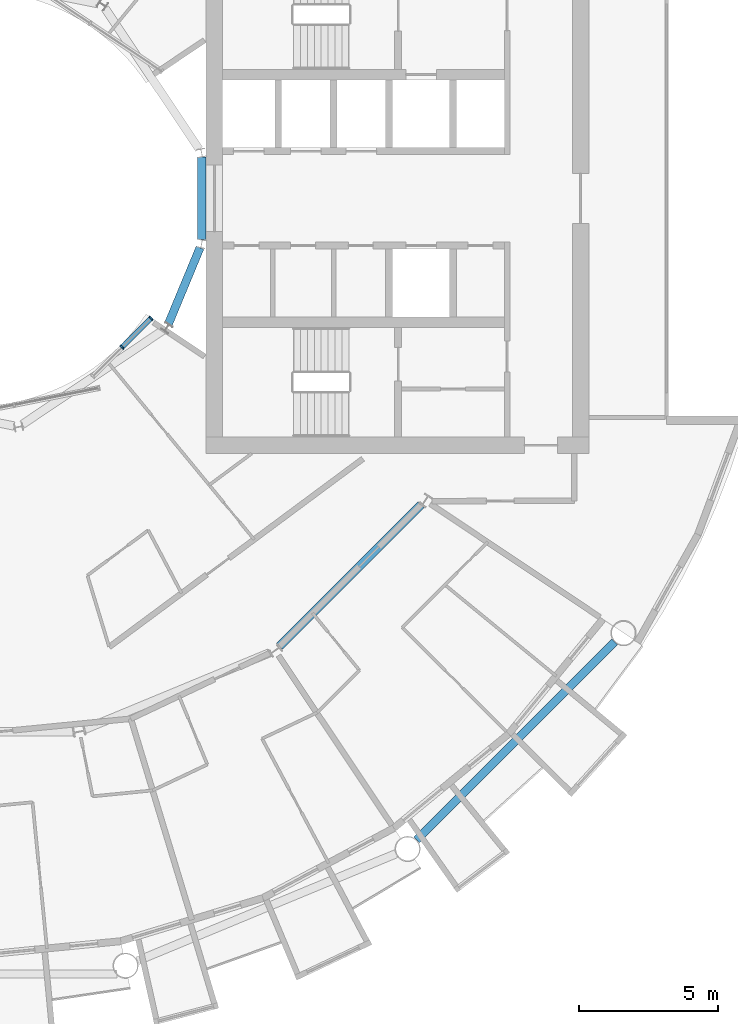
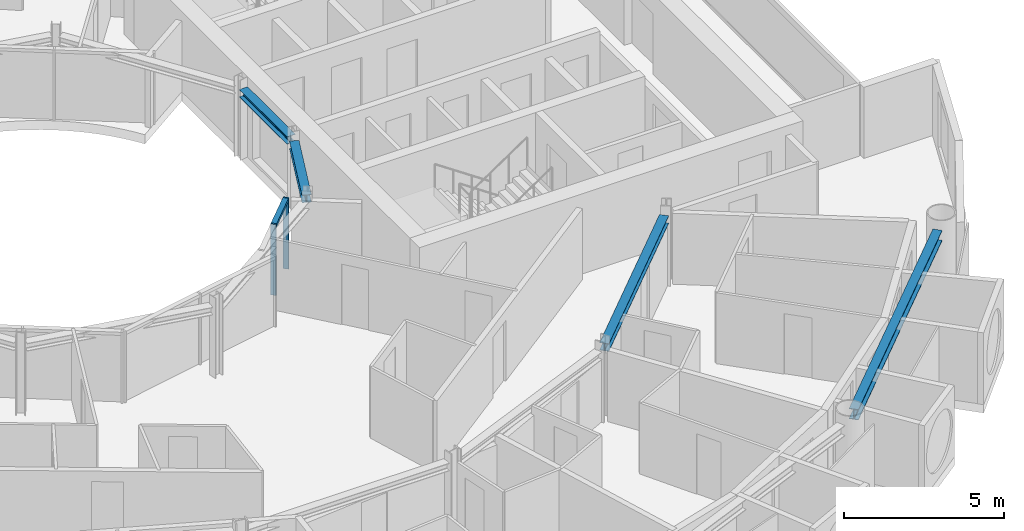
# One storey, part 7 of 27: 4 beams, 3 members, 1 element without a shape of its own.
"""IFC4 building model written with IfcOpenShell, lengths in metres."""

from ifc_helpers import new_model, si_unit, direction, frame, origin, origin_2d, place, context, subcontext, project, spatial, rectangle, i_section, extrude, material, layer, layer_set, material_profile, profile_set, type_object, element, aggregate, save


model = new_model("IFC4")

# Units and contexts
model_context = context("Model", 3, precision=1e-05, world=origin(), true_north=direction((0.0, 1.0)))
body_context = subcontext(model_context, "Body", "Model", "MODEL_VIEW")
ifc_project = project(units=[si_unit("LENGTHUNIT", "METRE"), si_unit("AREAUNIT", "SQUARE_METRE"), si_unit("VOLUMEUNIT", "CUBIC_METRE"), si_unit("PLANEANGLEUNIT", "RADIAN"), si_unit("MASSUNIT", "GRAM", prefix="KILO")], contexts=[model_context])

# Site, building, storey
site_placement = place(None, origin())
site = spatial("IfcSite", under=ifc_project, at=site_placement, CompositionType="ELEMENT")
building_placement = place(site_placement, origin())
building = spatial("IfcBuilding", under=site, at=building_placement, Name="Maasbend Ring Residences", CompositionType="ELEMENT")
storey_placement = place(building_placement, frame((0.0, 0.0, 117.75)))
storey = spatial("IfcBuildingStorey", under=building, at=storey_placement, Name="L33", CompositionType="ELEMENT", Elevation=117.75)

# Curtain wall, members
ifc_material_1 = material(Name="Aluminium and clear glass", Category="aluminium")
ifc_layer = layer(ifc_material_1, 0.179931640625)
ifc_layer_set = layer_set([ifc_layer], Name="CW-W")
curtain_wall_type = type_object("IfcCurtainWallType", Name="CW-W", PredefinedType="NOTDEFINED", material=ifc_layer_set)
curtain_wall_placement = place(storey_placement, origin())
curtain_wall = element("IfcCurtainWall", 1, at=curtain_wall_placement, inside=storey, type_object=curtain_wall_type, Name="Well curtain wall S3", PredefinedType="NOTDEFINED")
ifc_material_2 = material(Name="Aluminium 6063-T6", Category="aluminium")
ifc_material_profile_1 = material_profile(ifc_material_2, rectangle(XDim=0.179931640625, YDim=0.06005859375, at=origin_2d()), Name="AL 180x60")
ifc_profile_set_1 = profile_set([ifc_material_profile_1], Name="Aluminium 6063-T6")
member_type_1 = type_object("IfcMemberType", Name="CWM-W", PredefinedType="MULLION", material=ifc_profile_set_1)
member_1_placement = place(storey_placement, frame((5.366943359375, -5.366943359375, 0.0), z_axis=(0.0, 0.0, 1.0), x_axis=(-0.707106781187, 0.707106781187, 0.0)))
member_1 = element("IfcMember", 2, at=member_1_placement, type_object=member_type_1, Name="Mullion well face", PredefinedType="MULLION", context=body_context, shape_type="SweptSolid", body=[
    extrude(rectangle(XDim=0.179931640625, YDim=0.06005859375, at=origin_2d()), origin(), (0.0, 0.0, 1.0), 2.699951171875),
])
member_2_placement = place(storey_placement, frame((6.413330078125, -4.320556640625, 0.0), z_axis=(0.0, 0.0, 1.0), x_axis=(-0.707106781187, 0.707106781187, 0.0)))
member_2 = element("IfcMember", 3, at=member_2_placement, type_object=member_type_1, Name="Mullion well face", PredefinedType="MULLION", context=body_context, shape_type="SweptSolid", body=[
    extrude(rectangle(XDim=0.179931640625, YDim=0.06005859375, at=origin_2d()), origin(), (0.0, 0.0, 1.0), 2.699951171875),
])
ifc_material_3 = material(Name="Aluminium 6063-T6", Category="aluminium")
ifc_material_profile_2 = material_profile(ifc_material_3, rectangle(XDim=0.179931640625, YDim=0.1201171875, at=origin_2d()), Name="AL 180x120")
ifc_profile_set_2 = profile_set([ifc_material_profile_2], Name="Aluminium 6063-T6")
member_type_2 = type_object("IfcMemberType", Name="CWT-W", PredefinedType="USERDEFINED", material=ifc_profile_set_2)
member_3_placement = place(storey_placement, frame((5.38818359375, -5.345703125, 2.639892578125), z_axis=(0.707106781187, 0.707106781187, 0.0), x_axis=(-0.707106781187, 0.707106781187, 0.0)))
member_3 = element("IfcMember", 4, at=member_3_placement, type_object=member_type_2, Name="Transom well face", ObjectType="TRANSOM", PredefinedType="USERDEFINED", context=body_context, shape_type="SweptSolid", body=[
    extrude(rectangle(XDim=0.179931640625, YDim=0.1201171875, at=origin_2d()), origin(), (0.0, 0.0, 1.0), 1.419677734375),
])
aggregate(curtain_wall, [member_1, member_2, member_3])

# Beams
ifc_material_4 = material(Name="Steel S355J2", Category="steel")
ifc_material_profile_3 = material_profile(ifc_material_4, i_section(OverallWidth=0.300048828125, OverallDepth=0.2900390625, WebThickness=0.008544921875, FlangeThickness=0.013916015625, FilletRadius=0.027099609375, at=origin_2d()), Name="HEA 300")
ifc_profile_set_3 = profile_set([ifc_material_profile_3], Name="Steel S355J2")
beam_type_1 = type_object("IfcBeamType", Name="Corridor ring beam HEA 300", PredefinedType="BEAM", material=ifc_profile_set_3)
beam_1_placement = place(storey_placement, frame((11.044921875, -16.14111328125, 2.554931640625), z_axis=(0.707106781187, 0.707106781187, 0.0), x_axis=(-0.707106781187, 0.707106781187, 0.0)))
element("IfcBeam", 5, at=beam_1_placement, inside=storey, type_object=beam_type_1, Name="Corridor ring beam", PredefinedType="BEAM", context=body_context, shape_type="SweptSolid", body=[
    extrude(i_section(OverallWidth=0.300048828125, OverallDepth=0.2900390625, WebThickness=0.008544921875, FlangeThickness=0.013916015625, FilletRadius=0.027099609375, at=origin_2d()), origin(), (0.0, 0.0, 1.0), 7.20703125),
])
ifc_material_5 = material(Name="Steel S355J2", Category="steel")
ifc_material_profile_4 = material_profile(ifc_material_5, i_section(OverallWidth=0.300048828125, OverallDepth=0.39990234375, WebThickness=0.013427734375, FlangeThickness=0.02392578125, FilletRadius=0.027099609375, at=origin_2d()), Name="HEB 400")
ifc_profile_set_4 = profile_set([ifc_material_profile_4], Name="Steel S355J2")
beam_type_2 = type_object("IfcBeamType", Name="Spandrel ring beam HEB 400", PredefinedType="SPANDREL", material=ifc_profile_set_4)
beam_2_placement = place(storey_placement, frame((15.990234375, -23.124267578125, 2.5), z_axis=(0.707106781187, 0.707106781187, 0.0), x_axis=(-0.707106781187, 0.707106781187, 0.0)))
element("IfcBeam", 6, at=beam_2_placement, inside=storey, type_object=beam_type_2, Name="Spandrel ring beam", PredefinedType="SPANDREL", context=body_context, shape_type="SweptSolid", body=[
    extrude(i_section(OverallWidth=0.300048828125, OverallDepth=0.39990234375, WebThickness=0.013427734375, FlangeThickness=0.02392578125, FilletRadius=0.027099609375, at=origin_2d()), origin(), (0.0, 0.0, 1.0), 10.089111328125),
])
ifc_material_6 = material(Name="Steel S355J2", Category="steel")
ifc_material_profile_5 = material_profile(ifc_material_6, i_section(OverallWidth=0.300048828125, OverallDepth=0.2900390625, WebThickness=0.008544921875, FlangeThickness=0.013916015625, FilletRadius=0.027099609375, at=origin_2d()), Name="HEA 300")
ifc_profile_set_5 = profile_set([ifc_material_profile_5], Name="Steel S355J2")
beam_type_3 = type_object("IfcBeamType", Name="Well edge beam HEA 300", PredefinedType="BEAM", material=ifc_profile_set_5)
for number, where, z_axis, x_axis, name in (
    (7, (7.042724609375, -4.525390625, 2.554931640625), (0.382765370874, 0.923845588212, 0.0), (-0.923845588212, 0.382765370874, 0.0), "Well edge beam"),
    (8, (8.238525390625, -1.48583984375, 2.554931640625), (0.0, 1.0, 0.0), (-1.0, 0.0, 0.0), "Well edge beam"),
):
    element("IfcBeam", number, at=place(storey_placement, frame(where, z_axis=z_axis, x_axis=x_axis)), inside=storey, type_object=beam_type_3, Name=name, PredefinedType="BEAM", context=body_context, shape_type="SweptSolid", body=[
        extrude(i_section(OverallWidth=0.300048828125, OverallDepth=0.2900390625, WebThickness=0.008544921875, FlangeThickness=0.013916015625, FilletRadius=0.027099609375, at=origin_2d()), origin(), (0.0, 0.0, 1.0), 2.9716796875),
    ])

save(model, "model.ifc")
